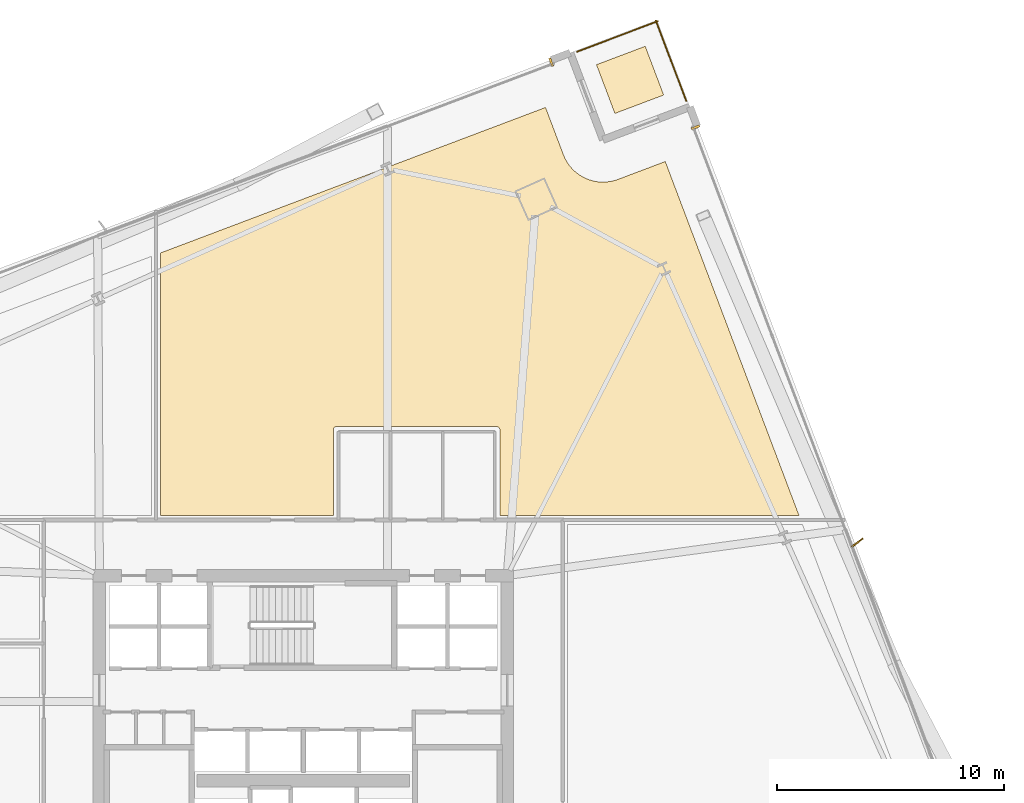
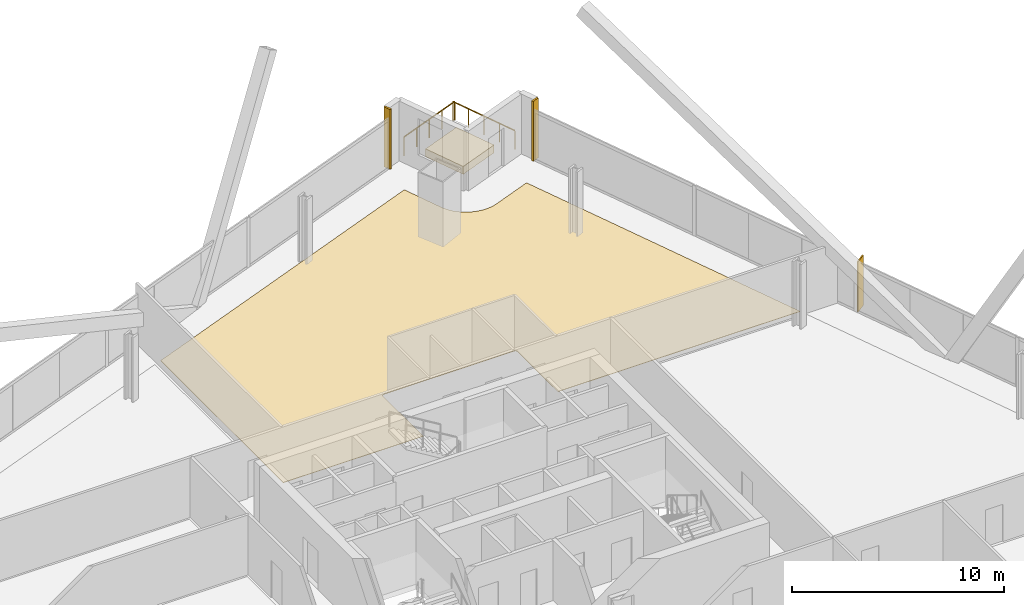
# One storey, part 37 of 37: 4 coverings, 2 railings, 1 shading device.
"""IFC4 building model written with IfcOpenShell, lengths in metres."""

from ifc_helpers import new_model, si_unit, direction, frame, origin, origin_2d, place, context, subcontext, project, spatial, polyline, rectangle, outline, extrude, source, transform, mapped, material, layer, layer_set, type_object, element, save


model = new_model("IFC4")

# Units and contexts
model_context = context("Model", 3, precision=1e-05, world=origin(), true_north=direction((0.0, 1.0)))
body_context = subcontext(model_context, "Body", "Model", "MODEL_VIEW")
ifc_project = project(units=[si_unit("LENGTHUNIT", "METRE"), si_unit("AREAUNIT", "SQUARE_METRE"), si_unit("VOLUMEUNIT", "CUBIC_METRE"), si_unit("PLANEANGLEUNIT", "RADIAN"), si_unit("MASSUNIT", "GRAM", prefix="KILO")], contexts=[model_context])

# Site, building, storey
site_placement = place(None, origin())
site = spatial("IfcSite", under=ifc_project, at=site_placement, CompositionType="ELEMENT")
building_placement = place(site_placement, origin())
building = spatial("IfcBuilding", under=site, at=building_placement, Name="Haldenkirk Collegiate Tower", CompositionType="ELEMENT")
storey_placement = place(building_placement, frame((0.0, 0.0, 97.949951171875)))
storey = spatial("IfcBuildingStorey", under=building, at=storey_placement, Name="L23", CompositionType="ELEMENT", Elevation=97.949951171875)

# Coverings
ifc_material_1 = material(Name="Engineered collegiate oak acoustic flooring", Category="wood")
ifc_layer_1 = layer(ifc_material_1, 0.02197265625)
ifc_layer_set_1 = layer_set([ifc_layer_1], Name="Engineered collegiate oak acoustic flooring")
covering_type_1 = type_object("IfcCoveringType", Name="COV-FLOOR-TIMBER", PredefinedType="FLOORING", material=ifc_layer_set_1)
covering_1_placement = place(storey_placement, origin())
element("IfcCovering", 1, at=covering_1_placement, inside=storey, type_object=covering_type_1, Name="L23 academic room finish 07", PredefinedType="FLOORING", context=body_context, shape_type="SweptSolid", body=[
    extrude(outline(polyline([(46.68994140625, 54.65869140625), (47.478271484375, 52.57275390625), (47.48046875, 52.567138671875), (47.549072265625, 52.40966796875), (47.55419921875, 52.399169921875), (47.6376953125, 52.249267578125), (47.64404296875, 52.2392578125), (47.741943359375, 52.09814453125), (47.7490234375, 52.088623046875), (47.8603515625, 51.9580078125), (47.868408203125, 51.94921875), (47.9921875, 51.830078125), (48.0009765625, 51.822509765625), (48.135498046875, 51.7158203125), (48.14501953125, 51.708984375), (48.28955078125, 51.6162109375), (48.2998046875, 51.610107421875), (48.45263671875, 51.531982421875), (48.46337890625, 51.527099609375), (48.623291015625, 51.464111328125), (48.634521484375, 51.46044921875), (48.799560546875, 51.41357421875), (48.81103515625, 51.410888671875), (48.97998046875, 51.38037109375), (48.99169921875, 51.37890625), (49.162841796875, 51.364990234375), (49.174560546875, 51.364501953125), (49.34619140625, 51.36767578125), (49.35791015625, 51.368408203125), (49.528564453125, 51.38818359375), (49.540283203125, 51.39013671875), (49.7080078125, 51.426513671875), (49.719482421875, 51.4296875), (49.883056640625, 51.482421875), (49.888427734375, 51.484375), (51.974609375, 52.272705078125), (57.8779296875, 36.64990234375), (44.669921875, 36.64990234375), (44.669921875, 40.449951171875), (44.66943359375, 40.4619140625), (44.667724609375, 40.473388671875), (44.664794921875, 40.48486328125), (44.660888671875, 40.495849609375), (44.65576171875, 40.506591796875), (44.64990234375, 40.5166015625), (44.642822265625, 40.526123046875), (44.635009765625, 40.534912109375), (44.626220703125, 40.542724609375), (44.61669921875, 40.5498046875), (44.606689453125, 40.555908203125), (44.595947265625, 40.560791015625), (44.584716796875, 40.564697265625), (44.573486328125, 40.567626953125), (44.561767578125, 40.5693359375), (44.550048828125, 40.570068359375), (37.449951171875, 40.570068359375), (37.438232421875, 40.5693359375), (37.426513671875, 40.567626953125), (37.415283203125, 40.564697265625), (37.404052734375, 40.560791015625), (37.393310546875, 40.555908203125), (37.38330078125, 40.5498046875), (37.373779296875, 40.542724609375), (37.364990234375, 40.534912109375), (37.357177734375, 40.526123046875), (37.35009765625, 40.5166015625), (37.34423828125, 40.506591796875), (37.339111328125, 40.495849609375), (37.335205078125, 40.48486328125), (37.332275390625, 40.473388671875), (37.33056640625, 40.4619140625), (37.330078125, 40.449951171875), (37.330078125, 36.64990234375), (29.699951171875, 36.64990234375), (29.699951171875, 48.23876953125), (46.68994140625, 54.65869140625)])), origin(), (0.0, 0.0, 1.0), 0.02197265625),
])
ifc_material_2 = material(Name="Precast concrete f'c 40 MPa", Category="concrete")
ifc_layer_2 = layer(ifc_material_2, 0.449951171875)
ifc_layer_set_2 = layer_set([ifc_layer_2], Name="Precast concrete f'c 40 MPa")
covering_type_2 = type_object("IfcCoveringType", Name="COV-PLANTER-450", PredefinedType="USERDEFINED", material=ifc_layer_set_2)
covering_2_placement = place(storey_placement, origin())
element("IfcCovering", 2, at=covering_2_placement, inside=storey, type_object=covering_type_2, Name="L23 planted garden planter bed", ObjectType="PLANTER", PredefinedType="USERDEFINED", context=body_context, shape_type="SweptSolid", body=[
    extrude(outline(polyline([(49.751220703125, 54.393798828125), (48.938232421875, 56.545166015625), (51.08984375, 57.358154296875), (51.90283203125, 55.206787109375), (49.751220703125, 54.393798828125)])), origin(), (0.0, 0.0, 1.0), 0.449951171875),
])

# Railings
ifc_material_3 = material(Name="Anodised architectural bronze aluminium", Category="aluminium")
railing_type = type_object("IfcRailingType", Name="RLG-TERR-BALUSTRADE-1100", PredefinedType="BALUSTRADE", material=ifc_material_3)
railing_1_placement = place(storey_placement, frame((52.8935546875, 54.9609375, 0.0)))
element("IfcRailing", 3, at=railing_1_placement, inside=storey, type_object=railing_type, Name="L23 terrace guard balustrade 2-1", PredefinedType="BALUSTRADE", context=body_context, shape_type="SweptSolid", body=[
    extrude(rectangle(XDim=0.048095703125, YDim=0.048095703125, at=origin_2d()), frame((0.0, 0.0, 1.076171875), z_axis=(-0.353415640645, 0.935466399689, 0.0), x_axis=(-0.935466399689, -0.353415640645, 0.0)), (0.0, 0.0, 1.0), 3.780029296875),
    extrude(rectangle(XDim=0.0419921875, YDim=0.0419921875, at=origin_2d()), origin(), (0.0, 0.0, 1.0), 1.052001953125),
    extrude(rectangle(XDim=0.0419921875, YDim=0.0419921875, at=origin_2d()), frame((-0.333984375, 0.884033203125, 0.0)), (0.0, 0.0, 1.0), 1.052001953125),
    extrude(rectangle(XDim=0.0419921875, YDim=0.0419921875, at=origin_2d()), frame((-0.66796875, 1.76806640625, 0.0)), (0.0, 0.0, 1.0), 1.052001953125),
    extrude(rectangle(XDim=0.0419921875, YDim=0.0419921875, at=origin_2d()), frame((-1.001953125, 2.652099609375, 0.0)), (0.0, 0.0, 1.0), 1.052001953125),
    extrude(rectangle(XDim=0.0419921875, YDim=0.0419921875, at=origin_2d()), frame((-1.3359375, 3.5361328125, 0.0)), (0.0, 0.0, 1.0), 1.052001953125),
])
railing_2_placement = place(storey_placement, frame((51.634765625, 58.462158203125, 0.0)))
element("IfcRailing", 4, at=railing_2_placement, inside=storey, type_object=railing_type, Name="L23 terrace guard balustrade 3-1", PredefinedType="BALUSTRADE", context=body_context, shape_type="SweptSolid", body=[
    extrude(rectangle(XDim=0.048095703125, YDim=0.048095703125, at=origin_2d()), frame((0.0, 0.0, 1.076171875), z_axis=(-0.935436975617, -0.353493514296, 0.0), x_axis=(0.353493514296, -0.935436975617, 0.0)), (0.0, 0.0, 1.0), 3.780029296875),
    extrude(rectangle(XDim=0.0419921875, YDim=0.0419921875, at=origin_2d()), origin(), (0.0, 0.0, 1.0), 1.052001953125),
    extrude(rectangle(XDim=0.0419921875, YDim=0.0419921875, at=origin_2d()), frame((-0.884033203125, -0.333984375, 0.0)), (0.0, 0.0, 1.0), 1.052001953125),
    extrude(rectangle(XDim=0.0419921875, YDim=0.0419921875, at=origin_2d()), frame((-1.76806640625, -0.66796875, 0.0)), (0.0, 0.0, 1.0), 1.052001953125),
    extrude(rectangle(XDim=0.0419921875, YDim=0.0419921875, at=origin_2d()), frame((-2.65185546875, -1.002197265625, 0.0)), (0.0, 0.0, 1.0), 1.052001953125),
    extrude(rectangle(XDim=0.0419921875, YDim=0.0419921875, at=origin_2d()), frame((-3.535888671875, -1.336181640625, 0.0)), (0.0, 0.0, 1.0), 1.052001953125),
])

# Coverings
ifc_layer_3 = layer(ifc_material_3, 0.06005859375)
ifc_layer_set_3 = layer_set([ifc_layer_3], Name="Anodised architectural bronze aluminium")
covering_type_3 = type_object("IfcCoveringType", Name="COV-CLAD-BRONZE-60", PredefinedType="CLADDING", material=ifc_layer_set_3)
shared_shape_1 = source(origin(), body_context, "Body", "SweptSolid", [
    extrude(rectangle(XDim=0.10009765625, YDim=0.3798828125, at=origin_2d()), origin(), (0.0, 0.0, 1.0), 3.449951171875),
])
for number, where, z_axis, x_axis, name in (
    (5, (53.307373046875, 53.781005859375, 0.0), (0.0, 0.0, 1.0), (0.353474843779, -0.93544403083, 0.0), "L23 recessed curtain-wall bronze jamb closure EJL"),
    (6, (46.93994140625, 56.656005859375, 0.0), (0.0, 0.0, 1.0), (0.93544403083, 0.353474843779, 0.0), "L23 recessed curtain-wall bronze jamb closure NJR"),
):
    element("IfcCovering", number, at=place(storey_placement, frame(where, z_axis=z_axis, x_axis=x_axis)), inside=storey, type_object=covering_type_3, Name=name, PredefinedType="CLADDING", context=body_context, shape_type="MappedRepresentation", body=[
        mapped(shared_shape_1, transform((0.0, 0.0, 0.0), x_axis=(1.0, 0.0, 0.0), y_axis=(0.0, 1.0, 0.0), z_axis=(0.0, 0.0, 1.0), scale=1.0)),
    ])

# Shading device
ifc_layer_4 = layer(ifc_material_3, 0.06494140625)
ifc_layer_set_4 = layer_set([ifc_layer_4], Name="Anodised architectural bronze aluminium")
shading_device_type = type_object("IfcShadingDeviceType", Name="SHD-FIN-BRONZE-620", PredefinedType="USERDEFINED", material=ifc_layer_set_4)
shared_shape_2 = source(origin(), body_context, "Body", "SweptSolid", [
    extrude(rectangle(XDim=0.6201171875, YDim=0.06494140625, at=origin_2d()), origin(), (0.0, 0.0, 1.0), 2.90087890625),
])
shading_device_placement = place(storey_placement, frame((60.451904296875, 35.453369140625, 0.0), z_axis=(0.0, 0.0, 1.0), x_axis=(0.801775644244, 0.597625146976, 0.0)))
element("IfcShadingDevice", 7, at=shading_device_placement, inside=storey, type_object=shading_device_type, Name="L23 folded bronze solar fin 1", ObjectType="FIN", PredefinedType="USERDEFINED", context=body_context, shape_type="MappedRepresentation", body=[
    mapped(shared_shape_2, transform((0.0, 0.0, 0.0), x_axis=(1.0, 0.0, 0.0), y_axis=(0.0, 1.0, 0.0), z_axis=(0.0, 0.0, 1.0), scale=1.0)),
])

save(model, "model.ifc")
